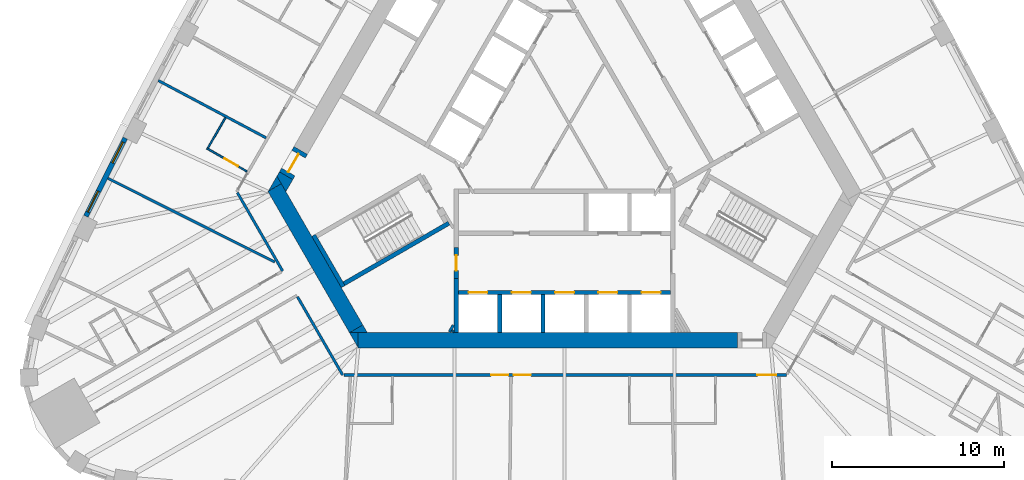
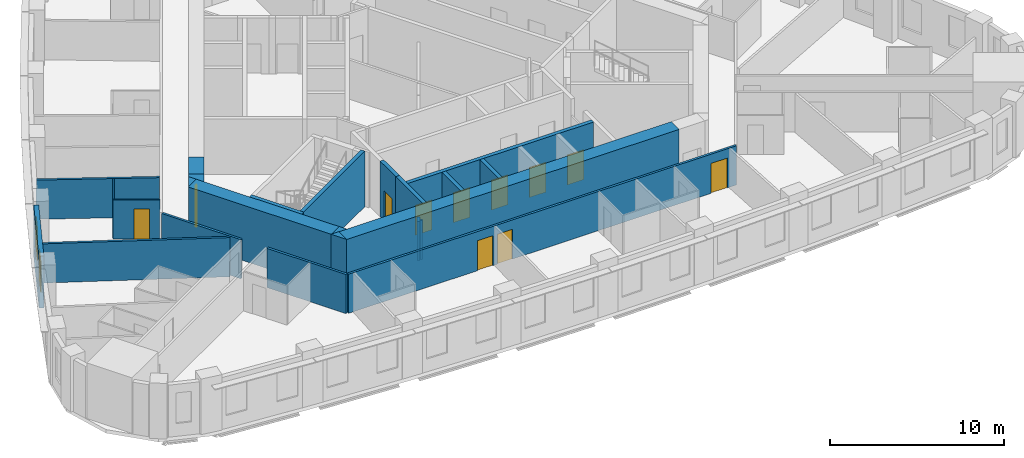
# One storey, part 4 of 12: 24 walls, 11 doors, 2 windows, 13 openings.
"""IFC4 building model written with IfcOpenShell, lengths in metres."""

from ifc_helpers import new_model, si_unit, direction, frame, frame_2d, origin, place, context, subcontext, project, spatial, polyline, rectangle, outline, extrude, material, layer, layer_set, type_object, element, fill, save


model = new_model("IFC4")

# Units and contexts
model_context = context("Model", 3, precision=1e-05, world=origin(), true_north=direction((0.0, 1.0)))
body_context = subcontext(model_context, "Body", "Model", "MODEL_VIEW")
ifc_project = project(units=[si_unit("LENGTHUNIT", "METRE"), si_unit("AREAUNIT", "SQUARE_METRE"), si_unit("VOLUMEUNIT", "CUBIC_METRE"), si_unit("PLANEANGLEUNIT", "RADIAN"), si_unit("MASSUNIT", "GRAM", prefix="KILO")], contexts=[model_context])

# Site, building, storey
site_placement = place(None, origin())
site = spatial("IfcSite", under=ifc_project, at=site_placement, CompositionType="ELEMENT")
building_placement = place(site_placement, origin())
building = spatial("IfcBuilding", under=site, at=building_placement, Name="Mestral Congress Tower", CompositionType="ELEMENT")
storey_placement = place(building_placement, frame((0.0, 0.0, 118.800048828125)))
storey = spatial("IfcBuildingStorey", under=building, at=storey_placement, Name="L28", CompositionType="ELEMENT", Elevation=118.800048828125)

# Walls
ifc_material_1 = material(Name="Fire-rated board partition")
ifc_layer_1 = layer(ifc_material_1, 0.14990234375)
ifc_layer_set_1 = layer_set([ifc_layer_1], Name="Fire-rated board partition")
wall_type_1 = type_object("IfcWallType", Name="Core partition 150", PredefinedType="PARTITIONING", material=ifc_layer_set_1)
wall_1_placement = place(storey_placement, frame((-6.707763671875, -12.068115234375, 0.0), z_axis=(0.0, 0.0, 1.0), x_axis=(0.500000789788, 0.8660249478, 0.0)))
element("IfcWall", 1, at=wall_1_placement, inside=storey, type_object=wall_type_1, Name="L28 core wall", PredefinedType="PARTITIONING", context=body_context, shape_type="SweptSolid", body=[
    extrude(rectangle(XDim=0.45556640625, YDim=0.14990234375, at=frame_2d((0.227783203125, 0.0))), origin(), (0.0, 0.0, 1.0), 2.75),
])
wall_2_placement = place(storey_placement, frame((-6.534423828125, -12.068115234375, 0.0), z_axis=(0.0, 0.0, 1.0), x_axis=(0.500240224089, 0.865886665912, 0.0)))
element("IfcWall", 2, at=wall_2_placement, inside=storey, type_object=wall_type_1, Name="L28 core wall", PredefinedType="PARTITIONING", context=body_context, shape_type="SweptSolid", body=[
    extrude(rectangle(XDim=0.10888671875, YDim=0.14990234375, at=frame_2d((0.054443359375, 0.0))), origin(), (0.0, 0.0, 1.0), 2.75),
])
ifc_material_2 = material(Name="Concrete C60/75", Category="concrete")
ifc_layer_2 = layer(ifc_material_2, 0.89990234375)
ifc_layer_set_2 = layer_set([ifc_layer_2], Name="Concrete C60/75")
wall_type_2 = type_object("IfcWallType", Name="Core wall RC 900", PredefinedType="SOLIDWALL", material=ifc_layer_set_2)
wall_3_placement = place(storey_placement, frame((-12.0185546875, -12.550048828125, 0.0), z_axis=(0.0, 0.0, 1.0), x_axis=(1.0, 0.0, 0.0)))
element("IfcWall", 3, at=wall_3_placement, inside=storey, type_object=wall_type_2, Name="L28 core wall", PredefinedType="SOLIDWALL", context=body_context, shape_type="SweptSolid", body=[
    extrude(rectangle(XDim=22.082763671875, YDim=0.89990234375, at=frame_2d((11.04150390625, 0.0))), origin(), (0.0, 0.0, 1.0), 3.89990234375),
])
placement = place(storey_placement, origin())
element("IfcWall", 4, at=placement, inside=storey, type_object=wall_type_2, Name="L28 core wall", PredefinedType="SOLIDWALL", context=body_context, shape_type="SweptSolid", body=[
    extrude(outline(polyline([(-12.528564453125, -12.10009765625), (-12.0205078125, -12.10009765625), (-12.0205078125, -12.97998046875), (-12.528564453125, -12.10009765625)])), origin(), (0.0, 0.0, 1.0), 3.89990234375),
])
wall_5_placement = place(storey_placement, frame((-12.134033203125, -11.88330078125, 0.0), z_axis=(0.0, 0.0, 1.0), x_axis=(-0.500005339912, 0.866022320763, 0.0)))
element("IfcWall", 5, at=wall_5_placement, inside=storey, type_object=wall_type_2, Name="L28 core wall", PredefinedType="SOLIDWALL", context=body_context, shape_type="SweptSolid", body=[
    extrude(rectangle(XDim=9.48779296875, YDim=0.89990234375, at=frame_2d((4.743896484375, 0.0))), origin(), (0.0, 0.0, 1.0), 3.89990234375),
])
element("IfcWall", 6, at=placement, inside=storey, type_object=wall_type_2, Name="L28 core wall", PredefinedType="SOLIDWALL", context=body_context, shape_type="SweptSolid", body=[
    extrude(outline(polyline([(-16.4892578125, -3.43994140625), (-17.251220703125, -3.8798828125), (-16.7431640625, -3.0), (-16.4892578125, -3.43994140625)])), origin(), (0.0, 0.0, 1.0), 3.89990234375),
])
element("IfcWall", 7, at=placement, inside=storey, type_object=wall_type_2, Name="L28 core wall", PredefinedType="SOLIDWALL", context=body_context, shape_type="SweptSolid", body=[
    extrude(outline(polyline([(-11.4892578125, -12.10009765625), (-12.50537109375, -12.10009765625), (-11.743408203125, -11.66015625), (-11.4892578125, -12.10009765625)])), origin(), (0.0, 0.0, 1.0), 3.89990234375),
])
element("IfcWall", 8, at=placement, inside=storey, type_object=wall_type_2, Name="L28 core wall", PredefinedType="SOLIDWALL", context=body_context, shape_type="SweptSolid", body=[
    extrude(outline(polyline([(-15.81982421875, -3.20068359375), (-16.223388671875, -3.89990234375), (-16.7431640625, -3.0), (-16.599365234375, -2.750732421875), (-15.81982421875, -3.20068359375)])), origin(), (0.0, 0.0, 1.0), 3.89990234375),
])

# Wall, opening, door
wall_9_placement = place(storey_placement, frame((-16.20947265625, -2.9755859375, 0.0), z_axis=(0.0, 0.0, 1.0), x_axis=(0.499954529098, 0.86605165483, 0.0)))
wall_9 = element("IfcWall", 9, at=wall_9_placement, inside=storey, type_object=wall_type_2, Name="L28 door wall", PredefinedType="SOLIDWALL", context=body_context, shape_type="SweptSolid", body=[
    extrude(rectangle(XDim=1.699951171875, YDim=0.89990234375, at=frame_2d((0.85009765625, 0.0))), origin(), (0.0, 0.0, 1.0), 3.89990234375),
])
opening_1_placement = place(wall_9_placement, frame((0.25, 0.0, 0.0)))
opening_1 = element("IfcOpeningElement", 10, at=opening_1_placement, cuts=wall_9, Name="Opening XD3", PredefinedType="OPENING", context=body_context, shape_type="SweptSolid", body=[
    extrude(rectangle(XDim=1.199951171875, YDim=2.10009765625, at=frame_2d((0.60009765625, 1.050048828125))), frame((0.0, 0.4599609375, 0.0), z_axis=(0.0, -1.0, 0.0), x_axis=(1.0, 0.0, 0.0)), (0.0, 0.0, 1.0), 0.919921875),
])
ifc_material_3 = material(Name="Fire-rated steel door set", Category="steel")
door_type_1 = type_object("IfcDoorType", Name="Core door XD 1200x2100", OperationType="SINGLE_SWING_LEFT", PredefinedType="DOOR", material=ifc_material_3)
door_1_placement = place(opening_1_placement, origin())
door_1 = element("IfcDoor", 11, at=door_1_placement, inside=storey, type_object=door_type_1, Name="Door XD3", OperationType="SINGLE_SWING_LEFT", OverallHeight=2.10009765625, OverallWidth=1.199951171875, PredefinedType="DOOR", context=body_context, shape_type="SweptSolid", body=[
    extrude(rectangle(XDim=1.199951171875, YDim=2.10009765625, at=frame_2d((0.60009765625, 1.050048828125))), frame((0.0, 0.02490234375, 0.0), z_axis=(0.0, -1.0, 0.0), x_axis=(1.0, 0.0, 0.0)), (0.0, 0.0, 1.0), 0.050048828125),
])
fill(opening_1, door_1)

# Wall, openings, windows
ifc_material_4 = material(Name="Precast concrete C40/50 with limestone facing", Category="masonry")
ifc_layer_3 = layer(ifc_material_4, 0.2900390625)
ifc_layer_set_3 = layer_set([ifc_layer_3], Name="Precast concrete C40/50 with limestone facing")
wall_type_3 = type_object("IfcWallType", Name="Facade stone wall 290", PredefinedType="SOLIDWALL", material=ifc_layer_set_3)
wall_10_placement = place(storey_placement, frame((-25.576416015625, -0.77783203125, 0.0), z_axis=(0.0, 0.0, 1.0), x_axis=(-0.448534297211, -0.893765620409, 0.0)))
wall_10 = element("IfcWall", 12, at=wall_10_placement, inside=storey, type_object=wall_type_3, Name="Facade wall F2-06", PredefinedType="SOLIDWALL", context=body_context, shape_type="SweptSolid", body=[
    extrude(rectangle(XDim=5.10009765625, YDim=0.2900390625, at=frame_2d((2.550048828125, 0.0))), origin(), (0.0, 0.0, 1.0), 3.64990234375),
])
opening_2_placement = place(wall_10_placement, frame((0.2724609375, 0.0, 0.89990234375)))
opening_2 = element("IfcOpeningElement", 13, at=opening_2_placement, cuts=wall_10, Name="Opening W2", PredefinedType="OPENING", context=body_context, shape_type="SweptSolid", body=[
    extrude(rectangle(XDim=1.35009765625, YDim=2.14990234375, at=frame_2d((0.675048828125, 1.074951171875))), frame((0.0, 0.155029296875, 0.0), z_axis=(0.0, -1.0, 0.0), x_axis=(1.0, 0.0, 0.0)), (0.0, 0.0, 1.0), 0.31005859375),
])
opening_3_placement = place(wall_10_placement, frame((3.477783203125, 0.0, 0.89990234375)))
opening_3 = element("IfcOpeningElement", 14, at=opening_3_placement, cuts=wall_10, Name="Opening W2", PredefinedType="OPENING", context=body_context, shape_type="SweptSolid", body=[
    extrude(rectangle(XDim=1.35009765625, YDim=2.14990234375, at=frame_2d((0.675048828125, 1.074951171875))), frame((0.0, 0.155029296875, 0.0), z_axis=(0.0, -1.0, 0.0), x_axis=(1.0, 0.0, 0.0)), (0.0, 0.0, 1.0), 0.31005859375),
])
ifc_material_5 = material(Name="Clear low-emissivity double glazing", Category="glass")
window_type = type_object("IfcWindowType", Name="Facade punched window 1350 x 2150 sill 900", PartitioningType="DOUBLE_PANEL_VERTICAL", PredefinedType="WINDOW", material=ifc_material_5)
window_1_placement = place(opening_2_placement, origin())
window_1 = element("IfcWindow", 15, at=window_1_placement, inside=storey, type_object=window_type, Name="Window F2-06a", OverallHeight=2.14990234375, OverallWidth=1.35009765625, PartitioningType="DOUBLE_PANEL_VERTICAL", PredefinedType="WINDOW", context=body_context, shape_type="SweptSolid", body=[
    extrude(rectangle(XDim=1.35009765625, YDim=2.14990234375, at=frame_2d((0.675048828125, 1.074951171875))), frame((0.0, 0.01513671875, 0.0), z_axis=(0.0, -1.0, 0.0), x_axis=(1.0, 0.0, 0.0)), (0.0, 0.0, 1.0), 0.06005859375),
])
fill(opening_2, window_1)
window_2_placement = place(opening_3_placement, origin())
window_2 = element("IfcWindow", 16, at=window_2_placement, inside=storey, type_object=window_type, Name="Window F2-06b", OverallHeight=2.14990234375, OverallWidth=1.35009765625, PartitioningType="DOUBLE_PANEL_VERTICAL", PredefinedType="WINDOW", context=body_context, shape_type="SweptSolid", body=[
    extrude(rectangle(XDim=1.35009765625, YDim=2.14990234375, at=frame_2d((0.675048828125, 1.074951171875))), frame((0.0, 0.01513671875, 0.0), z_axis=(0.0, -1.0, 0.0), x_axis=(1.0, 0.0, 0.0)), (0.0, 0.0, 1.0), 0.06005859375),
])
fill(opening_3, window_2)

# Wall, opening, door
ifc_material_6 = material(Name="Gypsum board partition on metal studs with mineral wool", Category="composite")
ifc_layer_4 = layer(ifc_material_6, 0.10009765625)
ifc_layer_set_4 = layer_set([ifc_layer_4], Name="Gypsum board partition on metal studs with mineral wool")
wall_type_4 = type_object("IfcWallType", Name="Hotel partition wall 100", PredefinedType="PARTITIONING", material=ifc_layer_set_4)
wall_11_placement = place(storey_placement, frame((-20.8291015625, -1.377197265625, 0.0), z_axis=(0.0, 0.0, 1.0), x_axis=(0.866036505625, -0.499980770555, 0.0)))
wall_11 = element("IfcWall", 17, at=wall_11_placement, inside=storey, type_object=wall_type_4, Name="L28-h-pod18a", PredefinedType="PARTITIONING", context=body_context, shape_type="SweptSolid", body=[
    extrude(rectangle(XDim=2.69970703125, YDim=0.10009765625, at=frame_2d((1.349853515625, 0.0))), origin(), (0.0, 0.0, 1.0), 2.75),
])
opening_4_placement = place(wall_11_placement, frame((1.199951171875, 0.0, 0.0)))
opening_4 = element("IfcOpeningElement", 18, at=opening_4_placement, cuts=wall_11, Name="Opening H09-034", PredefinedType="OPENING", context=body_context, shape_type="SweptSolid", body=[
    extrude(rectangle(XDim=0.89990234375, YDim=2.10009765625, at=frame_2d((0.449951171875, 1.050048828125))), frame((0.0, 0.06005859375, 0.0), z_axis=(0.0, -1.0, 0.0), x_axis=(1.0, 0.0, 0.0)), (0.0, 0.0, 1.0), 0.1201171875),
])
ifc_material_7 = material(Name="Timber veneer door leaf in timber frame", Category="wood")
door_type_2 = type_object("IfcDoorType", Name="Bathroom door 900", OperationType="SINGLE_SWING_LEFT", PredefinedType="DOOR", material=ifc_material_7)
door_2_placement = place(opening_4_placement, origin())
door_2 = element("IfcDoor", 19, at=door_2_placement, inside=storey, type_object=door_type_2, Name="L28-h-d034", OperationType="SINGLE_SWING_RIGHT", OverallHeight=2.10009765625, OverallWidth=0.89990234375, PredefinedType="DOOR", context=body_context, shape_type="SweptSolid", body=[
    extrude(rectangle(XDim=0.89990234375, YDim=2.10009765625, at=frame_2d((0.449951171875, 1.050048828125))), frame((0.0, 0.02490234375, 0.0), z_axis=(0.0, -1.0, 0.0), x_axis=(1.0, 0.0, 0.0)), (0.0, 0.0, 1.0), 0.050048828125),
])
fill(opening_4, door_2)

# Walls
wall_12_placement = place(storey_placement, frame((-20.7607421875, -1.35888671875, 0.0), z_axis=(0.0, 0.0, 1.0), x_axis=(0.499954962928, 0.866051404389, 0.0)))
element("IfcWall", 20, at=wall_12_placement, inside=storey, type_object=wall_type_4, Name="L28-h-pod18b", PredefinedType="PARTITIONING", context=body_context, shape_type="SweptSolid", body=[
    extrude(rectangle(XDim=2.030029296875, YDim=0.10009765625, at=frame_2d((1.01513671875, 0.0))), origin(), (0.0, 0.0, 1.0), 2.75),
])
ifc_layer_5 = layer(ifc_material_6, 0.14990234375)
ifc_layer_set_5 = layer_set([ifc_layer_5], Name="Gypsum board partition on metal studs with mineral wool")
wall_type_5 = type_object("IfcWallType", Name="Hotel partition wall 150", PredefinedType="PARTITIONING", material=ifc_layer_set_5)
wall_13_placement = place(storey_placement, frame((-16.412353515625, -8.52294921875, 0.0), z_axis=(0.0, 0.0, 1.0), x_axis=(-0.500001929737, 0.866024289647, 0.0)))
element("IfcWall", 21, at=wall_13_placement, inside=storey, type_object=wall_type_5, Name="L28-h-cw09", PredefinedType="PARTITIONING", context=body_context, shape_type="SweptSolid", body=[
    extrude(rectangle(XDim=5.26806640625, YDim=0.14990234375, at=frame_2d((2.634033203125, 0.0))), origin(), (0.0, 0.0, 1.0), 2.75),
])
wall_14_placement = place(storey_placement, frame((-12.918212890625, -14.574951171875, 0.0), z_axis=(0.0, 0.0, 1.0), x_axis=(-0.500009150678, 0.866020120573, 0.0)))
element("IfcWall", 22, at=wall_14_placement, inside=storey, type_object=wall_type_5, Name="L28-h-cw12", PredefinedType="PARTITIONING", context=body_context, shape_type="SweptSolid", body=[
    extrude(rectangle(XDim=5.25830078125, YDim=0.14990234375, at=frame_2d((2.629150390625, 0.0))), origin(), (0.0, 0.0, 1.0), 2.75),
])

# Wall, openings, doors
wall_15_placement = place(storey_placement, frame((12.918212890625, -14.574951171875, 0.0), z_axis=(0.0, 0.0, 1.0), x_axis=(-1.0, 0.0, 0.0)))
wall_15 = element("IfcWall", 23, at=wall_15_placement, inside=storey, type_object=wall_type_5, Name="L28-h-cw13", PredefinedType="PARTITIONING", context=body_context, shape_type="SweptSolid", body=[
    extrude(rectangle(XDim=25.766357421875, YDim=0.14990234375, at=frame_2d((12.88330078125, 0.0))), origin(), (0.0, 0.0, 1.0), 2.75),
])
opening_5_placement = place(wall_15_placement, frame((16.18896484375, 0.0, 0.0)))
opening_5 = element("IfcOpeningElement", 24, at=opening_5_placement, cuts=wall_15, Name="Opening H09-003", PredefinedType="OPENING", context=body_context, shape_type="SweptSolid", body=[
    extrude(rectangle(XDim=1.0, YDim=2.10009765625, at=frame_2d((0.5, 1.050048828125))), frame((0.0, 0.0849609375, 0.0), z_axis=(0.0, -1.0, 0.0), x_axis=(1.0, 0.0, 0.0)), (0.0, 0.0, 1.0), 0.169921875),
])
opening_6_placement = place(wall_15_placement, frame((14.881591796875, 0.0, 0.0)))
opening_6 = element("IfcOpeningElement", 25, at=opening_6_placement, cuts=wall_15, Name="Opening H09-005", PredefinedType="OPENING", context=body_context, shape_type="SweptSolid", body=[
    extrude(rectangle(XDim=1.0, YDim=2.10009765625, at=frame_2d((0.5, 1.050048828125))), frame((0.0, 0.0849609375, 0.0), z_axis=(0.0, -1.0, 0.0), x_axis=(1.0, 0.0, 0.0)), (0.0, 0.0, 1.0), 0.169921875),
])
opening_7_placement = place(wall_15_placement, frame((0.595947265625, 0.0, 0.0)))
opening_7 = element("IfcOpeningElement", 26, at=opening_7_placement, cuts=wall_15, Name="Opening H09-007", PredefinedType="OPENING", context=body_context, shape_type="SweptSolid", body=[
    extrude(rectangle(XDim=1.10009765625, YDim=2.10009765625, at=frame_2d((0.550048828125, 1.050048828125))), frame((0.0, 0.0849609375, 0.0), z_axis=(0.0, -1.0, 0.0), x_axis=(1.0, 0.0, 0.0)), (0.0, 0.0, 1.0), 0.169921875),
])
ifc_material_8 = material(Name="Timber veneer door leaf in metal frame", Category="wood")
door_type_3 = type_object("IfcDoorType", Name="Accessible room entrance door 1100", OperationType="SINGLE_SWING_LEFT", PredefinedType="DOOR", material=ifc_material_8)
door_3_placement = place(opening_7_placement, origin())
door_3 = element("IfcDoor", 27, at=door_3_placement, inside=storey, type_object=door_type_3, Name="L28-h-d007", OperationType="SINGLE_SWING_LEFT", OverallHeight=2.10009765625, OverallWidth=1.10009765625, PredefinedType="DOOR", context=body_context, shape_type="SweptSolid", body=[
    extrude(rectangle(XDim=1.10009765625, YDim=2.10009765625, at=frame_2d((0.550048828125, 1.050048828125))), frame((0.0, 0.02490234375, 0.0), z_axis=(0.0, -1.0, 0.0), x_axis=(1.0, 0.0, 0.0)), (0.0, 0.0, 1.0), 0.050048828125),
])
fill(opening_7, door_3)
door_type_4 = type_object("IfcDoorType", Name="Guest room entrance door 1000", OperationType="SINGLE_SWING_LEFT", PredefinedType="DOOR", material=ifc_material_8)
door_4_placement = place(opening_5_placement, origin())
door_4 = element("IfcDoor", 28, at=door_4_placement, inside=storey, type_object=door_type_4, Name="L28-h-d003", OperationType="SINGLE_SWING_LEFT", OverallHeight=2.10009765625, OverallWidth=1.0, PredefinedType="DOOR", context=body_context, shape_type="SweptSolid", body=[
    extrude(rectangle(XDim=1.0, YDim=2.10009765625, at=frame_2d((0.5, 1.050048828125))), frame((0.0, 0.02490234375, 0.0), z_axis=(0.0, -1.0, 0.0), x_axis=(1.0, 0.0, 0.0)), (0.0, 0.0, 1.0), 0.050048828125),
])
fill(opening_5, door_4)
door_5_placement = place(opening_6_placement, origin())
door_5 = element("IfcDoor", 29, at=door_5_placement, inside=storey, type_object=door_type_4, Name="L28-h-d005", OperationType="SINGLE_SWING_RIGHT", OverallHeight=2.10009765625, OverallWidth=1.0, PredefinedType="DOOR", context=body_context, shape_type="SweptSolid", body=[
    extrude(rectangle(XDim=1.0, YDim=2.10009765625, at=frame_2d((0.5, 1.050048828125))), frame((0.0, 0.02490234375, 0.0), z_axis=(0.0, -1.0, 0.0), x_axis=(1.0, 0.0, 0.0)), (0.0, 0.0, 1.0), 0.050048828125),
])
fill(opening_6, door_5)

# Walls
wall_16_placement = place(storey_placement, frame((-23.65185546875, 2.56689453125, 0.0), z_axis=(0.0, 0.0, 1.0), x_axis=(0.883019237957, -0.469336793144, 0.0)))
element("IfcWall", 30, at=wall_16_placement, inside=storey, type_object=wall_type_5, Name="L28-h-pw03", PredefinedType="PARTITIONING", context=body_context, shape_type="SweptSolid", body=[
    extrude(rectangle(XDim=7.11083984375, YDim=0.14990234375, at=frame_2d((3.555419921875, 0.0))), origin(), (0.0, 0.0, 1.0), 2.75),
])
wall_17_placement = place(storey_placement, frame((-26.590576171875, -3.1220703125, 0.0), z_axis=(0.0, 0.0, 1.0), x_axis=(0.893766213273, -0.448533115847, 0.0)))
element("IfcWall", 31, at=wall_17_placement, inside=storey, type_object=wall_type_5, Name="L28-h-pw04", PredefinedType="PARTITIONING", context=body_context, shape_type="SweptSolid", body=[
    extrude(rectangle(XDim=10.875244140625, YDim=0.14990234375, at=frame_2d((5.4375, 0.0))), origin(), (0.0, 0.0, 1.0), 2.75),
])
ifc_layer_6 = layer(ifc_material_2, 0.25)
ifc_layer_set_6 = layer_set([ifc_layer_6], Name="Concrete C60/75")
wall_type_6 = type_object("IfcWallType", Name="Shaft wall RC 250", PredefinedType="SOLIDWALL", material=ifc_layer_set_6)
wall_18_placement = place(storey_placement, frame((-3.780029296875, -12.10009765625, 0.0), z_axis=(0.0, 0.0, 1.0), x_axis=(0.0, 1.0, 0.0)))
element("IfcWall", 32, at=wall_18_placement, inside=storey, type_object=wall_type_6, Name="L28 core wall", PredefinedType="SOLIDWALL", context=body_context, shape_type="SweptSolid", body=[
    extrude(rectangle(XDim=2.199951171875, YDim=0.25, at=frame_2d((1.10009765625, 0.0))), origin(), (0.0, 0.0, 1.0), 3.89990234375),
])
wall_19_placement = place(storey_placement, frame((-6.300048828125, -12.10009765625, 0.0), z_axis=(0.0, 0.0, 1.0), x_axis=(0.0, 1.0, 0.0)))
element("IfcWall", 33, at=wall_19_placement, inside=storey, type_object=wall_type_6, Name="L28 core wall", PredefinedType="SOLIDWALL", context=body_context, shape_type="SweptSolid", body=[
    extrude(rectangle(XDim=3.1455078125, YDim=0.25, at=frame_2d((1.57275390625, 0.0))), origin(), (0.0, 0.0, 1.0), 3.89990234375),
])
wall_20_placement = place(storey_placement, frame((-1.260009765625, -12.10009765625, 0.0), z_axis=(0.0, 0.0, 1.0), x_axis=(0.0, 1.0, 0.0)))
element("IfcWall", 34, at=wall_20_placement, inside=storey, type_object=wall_type_6, Name="L28 core wall", PredefinedType="SOLIDWALL", context=body_context, shape_type="SweptSolid", body=[
    extrude(rectangle(XDim=2.199951171875, YDim=0.25, at=frame_2d((1.10009765625, 0.0))), origin(), (0.0, 0.0, 1.0), 3.89990234375),
])

# Wall, openings, doors
wall_21_placement = place(storey_placement, frame((-6.175048828125, -9.77490234375, 0.0), z_axis=(0.0, 0.0, 1.0), x_axis=(1.0, 0.0, 0.0)))
wall_21 = element("IfcWall", 35, at=wall_21_placement, inside=storey, type_object=wall_type_6, Name="L28 door wall", PredefinedType="SOLIDWALL", context=body_context, shape_type="SweptSolid", body=[
    extrude(rectangle(XDim=12.35009765625, YDim=0.25, at=frame_2d((6.175048828125, 0.0))), origin(), (0.0, 0.0, 1.0), 3.89990234375),
])
opening_8_placement = place(wall_21_placement, frame((0.5849609375, 0.0, 0.0)))
opening_8 = element("IfcOpeningElement", 36, at=opening_8_placement, cuts=wall_21, Name="Opening LD-SOA1", PredefinedType="OPENING", context=body_context, shape_type="SweptSolid", body=[
    extrude(rectangle(XDim=1.10009765625, YDim=2.10009765625, at=frame_2d((0.550048828125, 1.050048828125))), frame((0.0, 0.135009765625, 0.0), z_axis=(0.0, -1.0, 0.0), x_axis=(1.0, 0.0, 0.0)), (0.0, 0.0, 1.0), 0.27001953125),
])
opening_9_placement = place(wall_21_placement, frame((3.10498046875, 0.0, 0.0)))
opening_9 = element("IfcOpeningElement", 37, at=opening_9_placement, cuts=wall_21, Name="Opening LD-SOA2", PredefinedType="OPENING", context=body_context, shape_type="SweptSolid", body=[
    extrude(rectangle(XDim=1.10009765625, YDim=2.10009765625, at=frame_2d((0.550048828125, 1.050048828125))), frame((0.0, 0.135009765625, 0.0), z_axis=(0.0, -1.0, 0.0), x_axis=(1.0, 0.0, 0.0)), (0.0, 0.0, 1.0), 0.27001953125),
])
opening_10_placement = place(wall_21_placement, frame((5.625, 0.0, 0.0)))
opening_10 = element("IfcOpeningElement", 38, at=opening_10_placement, cuts=wall_21, Name="Opening LD-SOA3", PredefinedType="OPENING", context=body_context, shape_type="SweptSolid", body=[
    extrude(rectangle(XDim=1.10009765625, YDim=2.10009765625, at=frame_2d((0.550048828125, 1.050048828125))), frame((0.0, 0.135009765625, 0.0), z_axis=(0.0, -1.0, 0.0), x_axis=(1.0, 0.0, 0.0)), (0.0, 0.0, 1.0), 0.27001953125),
])
opening_11_placement = place(wall_21_placement, frame((8.14501953125, 0.0, 0.0)))
opening_11 = element("IfcOpeningElement", 39, at=opening_11_placement, cuts=wall_21, Name="Opening LD-SOA4", PredefinedType="OPENING", context=body_context, shape_type="SweptSolid", body=[
    extrude(rectangle(XDim=1.10009765625, YDim=2.10009765625, at=frame_2d((0.550048828125, 1.050048828125))), frame((0.0, 0.135009765625, 0.0), z_axis=(0.0, -1.0, 0.0), x_axis=(1.0, 0.0, 0.0)), (0.0, 0.0, 1.0), 0.27001953125),
])
opening_12_placement = place(wall_21_placement, frame((10.6650390625, 0.0, 0.0)))
opening_12 = element("IfcOpeningElement", 40, at=opening_12_placement, cuts=wall_21, Name="Opening LD-SOA5", PredefinedType="OPENING", context=body_context, shape_type="SweptSolid", body=[
    extrude(rectangle(XDim=1.10009765625, YDim=2.10009765625, at=frame_2d((0.550048828125, 1.050048828125))), frame((0.0, 0.135009765625, 0.0), z_axis=(0.0, -1.0, 0.0), x_axis=(1.0, 0.0, 0.0)), (0.0, 0.0, 1.0), 0.27001953125),
])
door_type_5 = type_object("IfcDoorType", Name="Core door LD 1100x2100", OperationType="DOUBLE_DOOR_SLIDING", PredefinedType="DOOR", material=ifc_material_3)
door_6_placement = place(opening_8_placement, origin())
door_6 = element("IfcDoor", 41, at=door_6_placement, inside=storey, type_object=door_type_5, Name="Door LD-SOA1", OperationType="DOUBLE_DOOR_SLIDING", OverallHeight=2.10009765625, OverallWidth=1.10009765625, PredefinedType="DOOR", context=body_context, shape_type="SweptSolid", body=[
    extrude(rectangle(XDim=1.10009765625, YDim=2.10009765625, at=frame_2d((0.550048828125, 1.050048828125))), frame((0.0, 0.02490234375, 0.0), z_axis=(0.0, -1.0, 0.0), x_axis=(1.0, 0.0, 0.0)), (0.0, 0.0, 1.0), 0.050048828125),
])
fill(opening_8, door_6)
door_7_placement = place(opening_9_placement, origin())
door_7 = element("IfcDoor", 42, at=door_7_placement, inside=storey, type_object=door_type_5, Name="Door LD-SOA2", OperationType="DOUBLE_DOOR_SLIDING", OverallHeight=2.10009765625, OverallWidth=1.10009765625, PredefinedType="DOOR", context=body_context, shape_type="SweptSolid", body=[
    extrude(rectangle(XDim=1.10009765625, YDim=2.10009765625, at=frame_2d((0.550048828125, 1.050048828125))), frame((0.0, 0.02490234375, 0.0), z_axis=(0.0, -1.0, 0.0), x_axis=(1.0, 0.0, 0.0)), (0.0, 0.0, 1.0), 0.050048828125),
])
fill(opening_9, door_7)
door_8_placement = place(opening_10_placement, origin())
door_8 = element("IfcDoor", 43, at=door_8_placement, inside=storey, type_object=door_type_5, Name="Door LD-SOA3", OperationType="DOUBLE_DOOR_SLIDING", OverallHeight=2.10009765625, OverallWidth=1.10009765625, PredefinedType="DOOR", context=body_context, shape_type="SweptSolid", body=[
    extrude(rectangle(XDim=1.10009765625, YDim=2.10009765625, at=frame_2d((0.550048828125, 1.050048828125))), frame((0.0, 0.02490234375, 0.0), z_axis=(0.0, -1.0, 0.0), x_axis=(1.0, 0.0, 0.0)), (0.0, 0.0, 1.0), 0.050048828125),
])
fill(opening_10, door_8)
door_9_placement = place(opening_11_placement, origin())
door_9 = element("IfcDoor", 44, at=door_9_placement, inside=storey, type_object=door_type_5, Name="Door LD-SOA4", OperationType="DOUBLE_DOOR_SLIDING", OverallHeight=2.10009765625, OverallWidth=1.10009765625, PredefinedType="DOOR", context=body_context, shape_type="SweptSolid", body=[
    extrude(rectangle(XDim=1.10009765625, YDim=2.10009765625, at=frame_2d((0.550048828125, 1.050048828125))), frame((0.0, 0.02490234375, 0.0), z_axis=(0.0, -1.0, 0.0), x_axis=(1.0, 0.0, 0.0)), (0.0, 0.0, 1.0), 0.050048828125),
])
fill(opening_11, door_9)
door_10_placement = place(opening_12_placement, origin())
door_10 = element("IfcDoor", 45, at=door_10_placement, inside=storey, type_object=door_type_5, Name="Door LD-SOA5", OperationType="DOUBLE_DOOR_SLIDING", OverallHeight=2.10009765625, OverallWidth=1.10009765625, PredefinedType="DOOR", context=body_context, shape_type="SweptSolid", body=[
    extrude(rectangle(XDim=1.10009765625, YDim=2.10009765625, at=frame_2d((0.550048828125, 1.050048828125))), frame((0.0, 0.02490234375, 0.0), z_axis=(0.0, -1.0, 0.0), x_axis=(1.0, 0.0, 0.0)), (0.0, 0.0, 1.0), 0.050048828125),
])
fill(opening_12, door_10)

# Wall, opening, door
wall_22_placement = place(storey_placement, frame((-6.300048828125, -7.154296875, 0.0), z_axis=(0.0, 0.0, 1.0), x_axis=(0.0, -1.0, 0.0)))
wall_22 = element("IfcWall", 46, at=wall_22_placement, inside=storey, type_object=wall_type_6, Name="L28 door wall", PredefinedType="SOLIDWALL", context=body_context, shape_type="SweptSolid", body=[
    extrude(rectangle(XDim=1.800048828125, YDim=0.25, at=frame_2d((0.89990234375, 0.0))), origin(), (0.0, 0.0, 1.0), 3.89990234375),
])
opening_13_placement = place(wall_22_placement, frame((0.449951171875, 0.0, 0.0)))
opening_13 = element("IfcOpeningElement", 47, at=opening_13_placement, cuts=wall_22, Name="Opening TD3", PredefinedType="OPENING", context=body_context, shape_type="SweptSolid", body=[
    extrude(rectangle(XDim=0.89990234375, YDim=2.10009765625, at=frame_2d((0.449951171875, 1.050048828125))), frame((0.0, 0.135009765625, 0.0), z_axis=(0.0, -1.0, 0.0), x_axis=(1.0, 0.0, 0.0)), (0.0, 0.0, 1.0), 0.27001953125),
])
door_type_6 = type_object("IfcDoorType", Name="Core door SR 900x2100", OperationType="SINGLE_SWING_LEFT", PredefinedType="DOOR", material=ifc_material_3)
door_11_placement = place(opening_13_placement, origin())
door_11 = element("IfcDoor", 48, at=door_11_placement, inside=storey, type_object=door_type_6, Name="Door TD3", OperationType="SINGLE_SWING_LEFT", OverallHeight=2.10009765625, OverallWidth=0.89990234375, PredefinedType="DOOR", context=body_context, shape_type="SweptSolid", body=[
    extrude(rectangle(XDim=0.89990234375, YDim=2.10009765625, at=frame_2d((0.449951171875, 1.050048828125))), frame((0.0, 0.02490234375, 0.0), z_axis=(0.0, -1.0, 0.0), x_axis=(1.0, 0.0, 0.0)), (0.0, 0.0, 1.0), 0.050048828125),
])
fill(opening_13, door_11)

# Walls
ifc_layer_7 = layer(ifc_material_2, 0.25)
ifc_layer_set_7 = layer_set([ifc_layer_7], Name="Concrete C60/75")
wall_type_7 = type_object("IfcWallType", Name="Stair wall RC 250", PredefinedType="SOLIDWALL", material=ifc_layer_set_7)
wall_23_placement = place(storey_placement, frame((-12.885498046875, -9.431396484375, 0.0), z_axis=(0.0, 0.0, 1.0), x_axis=(-0.500020560727, 0.866013532718, 0.0)))
element("IfcWall", 49, at=wall_23_placement, inside=storey, type_object=wall_type_7, Name="L28 core wall", PredefinedType="SOLIDWALL", context=body_context, shape_type="SweptSolid", body=[
    extrude(rectangle(XDim=3.449951171875, YDim=0.25, at=frame_2d((1.72509765625, 0.0))), origin(), (0.0, 0.0, 1.0), 3.89990234375),
])
wall_24_placement = place(storey_placement, frame((-12.83984375, -9.2607421875, 0.0), z_axis=(0.0, 0.0, 1.0), x_axis=(0.866016039709, 0.500016218704, 0.0)))
element("IfcWall", 50, at=wall_24_placement, inside=storey, type_object=wall_type_7, Name="L28 core wall", PredefinedType="SOLIDWALL", context=body_context, shape_type="SweptSolid", body=[
    extrude(rectangle(XDim=7.050048828125, YDim=0.25, at=frame_2d((3.52490234375, 0.0))), origin(), (0.0, 0.0, 1.0), 3.89990234375),
])

save(model, "model.ifc")
